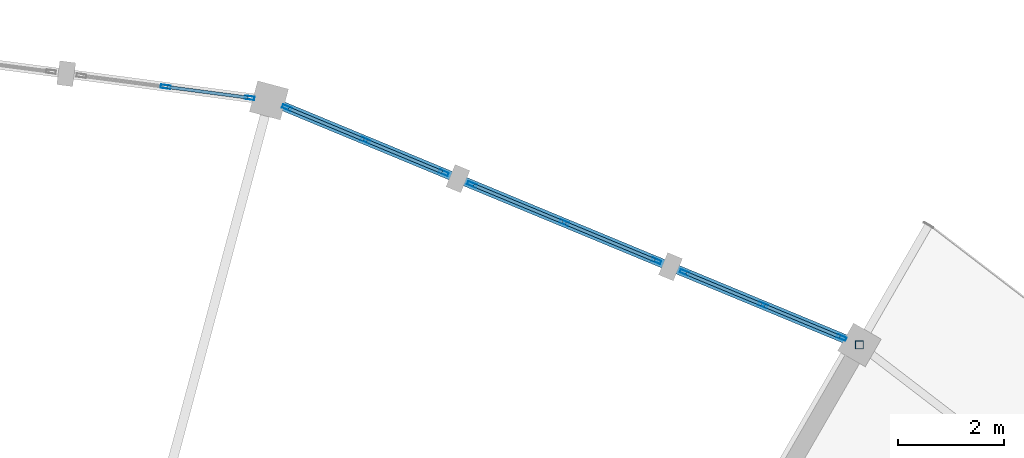
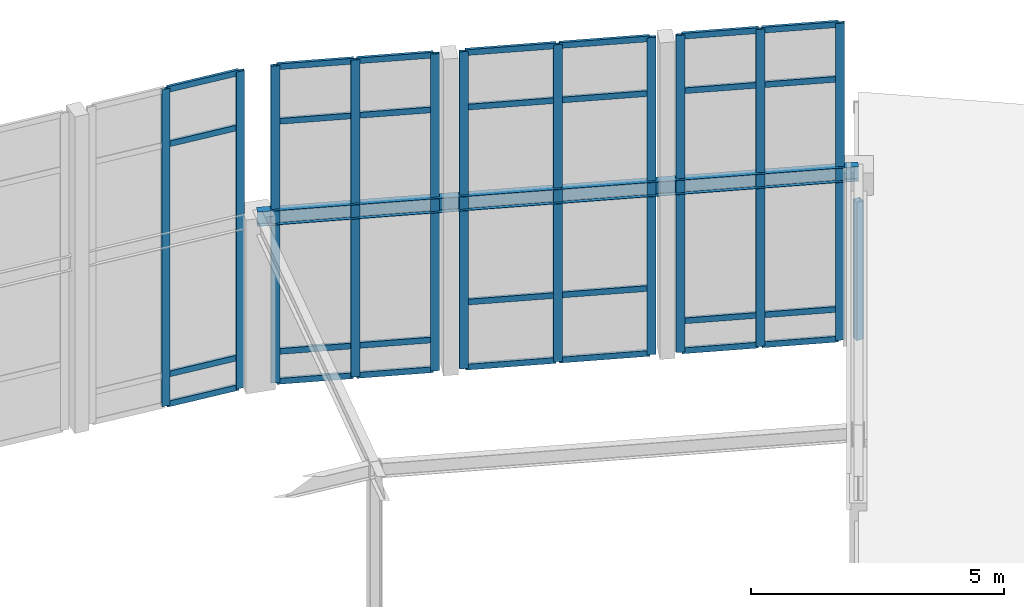
# One storey, part 55 of 93: 40 members, 1 beam, 4 elements without a shape of their own.
"""IFC4 building model written with IfcOpenShell, lengths in metres."""

from ifc_helpers import new_model, si_unit, direction, frame, origin, origin_2d, place, context, subcontext, project, spatial, hollow_rectangle, i_section, extrude, material, material_profile, profile_set, type_object, element, aggregate, save


model = new_model("IFC4")

# Units and contexts
model_context = context("Model", 3, precision=1e-05, world=origin(), true_north=direction((0.0, 1.0)))
body_context = subcontext(model_context, "Body", "Model", "MODEL_VIEW")
ifc_project = project(units=[si_unit("LENGTHUNIT", "METRE"), si_unit("AREAUNIT", "SQUARE_METRE"), si_unit("VOLUMEUNIT", "CUBIC_METRE"), si_unit("PLANEANGLEUNIT", "RADIAN"), si_unit("MASSUNIT", "GRAM", prefix="KILO")], contexts=[model_context])

# Site, building, storey
site_placement = place(None, origin())
site = spatial("IfcSite", under=ifc_project, at=site_placement, CompositionType="ELEMENT")
building_placement = place(site_placement, origin())
building = spatial("IfcBuilding", under=site, at=building_placement, Name="Vondelvale Polytechnic", CompositionType="ELEMENT")
storey_placement = place(building_placement, frame((0.0, 0.0, 18.0)))
storey = spatial("IfcBuildingStorey", under=building, at=storey_placement, Name="L04", CompositionType="ELEMENT", Elevation=18.0)

# Beam
ifc_material_1 = material(Name="Steel 300PLUS (fy = 300 MPa)", Category="steel")
ifc_material_profile_1 = material_profile(ifc_material_1, i_section(OverallWidth=0.1708984375, OverallDepth=0.35205078125, WebThickness=0.0068359375, FlangeThickness=0.009765625, FilletRadius=0.011474609375, at=origin_2d()), Name="360UB44.7")
ifc_profile_set_1 = profile_set([ifc_material_profile_1], Name="Steel 300PLUS (fy = 300 MPa)")
beam_type = type_object("IfcBeamType", Name="BM-UB360L", PredefinedType="BEAM", material=ifc_profile_set_1)
beam_placement = place(storey_placement, frame((125.0, 111.837158203125, 4.02392578125), z_axis=(-0.923877323614, 0.382688765072, 0.0), x_axis=(-0.382688765072, -0.923877323614, 0.0)))
element("IfcBeam", 1, at=beam_placement, inside=storey, type_object=beam_type, Name="L04 RE B-24", PredefinedType="BEAM", context=body_context, shape_type="SweptSolid", body=[
    extrude(i_section(OverallWidth=0.1708984375, OverallDepth=0.35205078125, WebThickness=0.0068359375, FlangeThickness=0.009765625, FilletRadius=0.011474609375, at=origin_2d()), origin(), (0.0, 0.0, 1.0), 12.00830078125),
])

# Curtain wall, members
ifc_material_2 = material(Name="Glulam GL18 structural Tasmanian oak (fb = 42 MPa)", Category="wood")
curtain_wall_type = type_object("IfcCurtainWallType", Name="CW-RING-OUTER", PredefinedType="NOTDEFINED", material=ifc_material_2)
curtain_wall_1_placement = place(storey_placement, origin())
curtain_wall_1 = element("IfcCurtainWall", 2, at=curtain_wall_1_placement, inside=storey, type_object=curtain_wall_type, Name="L04 architectural curtain wall CW-04-128", PredefinedType="NOTDEFINED")
ifc_material_3 = material(Name="Anodised extruded aluminium 6063-T6", Category="aluminium")
ifc_material_profile_2 = material_profile(ifc_material_3, hollow_rectangle(XDim=0.06494140625, YDim=0.179931640625, WallThickness=0.00390625, at=origin_2d()), Name="CW-MUL-180x65")
ifc_profile_set_2 = profile_set([ifc_material_profile_2], Name="Anodised extruded aluminium 6063-T6")
member_type_1 = type_object("IfcMemberType", Name="CW-MUL-65x180", PredefinedType="MULLION", material=ifc_profile_set_2)
member_1_placement = place(storey_placement, frame((124.66259765625, 111.97705078125, 0.0), z_axis=(0.0, 0.0, 1.0), x_axis=(-0.382677394529, -0.923882033442, 0.0)))
member_1 = element("IfcMember", 3, at=member_1_placement, type_object=member_type_1, Name="CW-04-128 mullion 1", PredefinedType="MULLION", context=body_context, shape_type="SweptSolid", body=[
    extrude(hollow_rectangle(XDim=0.06494140625, YDim=0.179931640625, WallThickness=0.00390625, at=origin_2d()), origin(), (0.0, 0.0, 1.0), 7.661376953125),
])
member_2_placement = place(storey_placement, frame((123.18896484375, 112.58740234375, 0.0), z_axis=(0.0, 0.0, 1.0), x_axis=(-0.382677394529, -0.923882033442, 0.0)))
member_2 = element("IfcMember", 4, at=member_2_placement, type_object=member_type_1, Name="CW-04-128 mullion 2", PredefinedType="MULLION", context=body_context, shape_type="SweptSolid", body=[
    extrude(hollow_rectangle(XDim=0.06494140625, YDim=0.179931640625, WallThickness=0.00390625, at=origin_2d()), origin(), (0.0, 0.0, 1.0), 7.661376953125),
])
member_3_placement = place(storey_placement, frame((121.71533203125, 113.19775390625, 0.0), z_axis=(0.0, 0.0, 1.0), x_axis=(-0.382677394529, -0.923882033442, 0.0)))
member_3 = element("IfcMember", 5, at=member_3_placement, type_object=member_type_1, Name="CW-04-128 mullion 3", PredefinedType="MULLION", context=body_context, shape_type="SweptSolid", body=[
    extrude(hollow_rectangle(XDim=0.06494140625, YDim=0.179931640625, WallThickness=0.00390625, at=origin_2d()), origin(), (0.0, 0.0, 1.0), 7.661376953125),
])

curtain_wall_2_placement = place(storey_placement, origin())
curtain_wall_2 = element("IfcCurtainWall", 6, at=curtain_wall_2_placement, inside=storey, type_object=curtain_wall_type, Name="L04 architectural curtain wall CW-04-129", PredefinedType="NOTDEFINED")
member_4_placement = place(storey_placement, frame((121.18408203125, 113.417724609375, 0.0), z_axis=(0.0, 0.0, 1.0), x_axis=(-0.382694599123, -0.92387490701, 0.0)))
member_4 = element("IfcMember", 7, at=member_4_placement, type_object=member_type_1, Name="CW-04-129 mullion 1", PredefinedType="MULLION", context=body_context, shape_type="SweptSolid", body=[
    extrude(hollow_rectangle(XDim=0.06494140625, YDim=0.179931640625, WallThickness=0.00390625, at=origin_2d()), origin(), (0.0, 0.0, 1.0), 7.661376953125),
])
member_5_placement = place(storey_placement, frame((119.452880859375, 114.135009765625, 0.0), z_axis=(0.0, 0.0, 1.0), x_axis=(-0.382694599123, -0.92387490701, 0.0)))
member_5 = element("IfcMember", 8, at=member_5_placement, type_object=member_type_1, Name="CW-04-129 mullion 2", PredefinedType="MULLION", context=body_context, shape_type="SweptSolid", body=[
    extrude(hollow_rectangle(XDim=0.06494140625, YDim=0.179931640625, WallThickness=0.00390625, at=origin_2d()), origin(), (0.0, 0.0, 1.0), 7.661376953125),
])
member_6_placement = place(storey_placement, frame((117.721435546875, 114.85205078125, 0.0), z_axis=(0.0, 0.0, 1.0), x_axis=(-0.382694599123, -0.92387490701, 0.0)))
member_6 = element("IfcMember", 9, at=member_6_placement, type_object=member_type_1, Name="CW-04-129 mullion 3", PredefinedType="MULLION", context=body_context, shape_type="SweptSolid", body=[
    extrude(hollow_rectangle(XDim=0.06494140625, YDim=0.179931640625, WallThickness=0.00390625, at=origin_2d()), origin(), (0.0, 0.0, 1.0), 7.661376953125),
])

curtain_wall_3_placement = place(storey_placement, origin())
curtain_wall_3 = element("IfcCurtainWall", 10, at=curtain_wall_3_placement, inside=storey, type_object=curtain_wall_type, Name="L04 architectural curtain wall CW-04-130", PredefinedType="NOTDEFINED")
member_7_placement = place(storey_placement, frame((117.190185546875, 115.072021484375, 0.0), z_axis=(0.0, 0.0, 1.0), x_axis=(-0.382677394529, -0.923882033442, 0.0)))
member_7 = element("IfcMember", 11, at=member_7_placement, type_object=member_type_1, Name="CW-04-130 mullion 1", PredefinedType="MULLION", context=body_context, shape_type="SweptSolid", body=[
    extrude(hollow_rectangle(XDim=0.06494140625, YDim=0.179931640625, WallThickness=0.00390625, at=origin_2d()), origin(), (0.0, 0.0, 1.0), 7.661376953125),
])
member_8_placement = place(storey_placement, frame((115.716796875, 115.6826171875, 0.0), z_axis=(0.0, 0.0, 1.0), x_axis=(-0.382677394529, -0.923882033442, 0.0)))
member_8 = element("IfcMember", 12, at=member_8_placement, type_object=member_type_1, Name="CW-04-130 mullion 2", PredefinedType="MULLION", context=body_context, shape_type="SweptSolid", body=[
    extrude(hollow_rectangle(XDim=0.06494140625, YDim=0.179931640625, WallThickness=0.00390625, at=origin_2d()), origin(), (0.0, 0.0, 1.0), 7.661376953125),
])
member_9_placement = place(storey_placement, frame((114.2431640625, 116.29296875, 0.0), z_axis=(0.0, 0.0, 1.0), x_axis=(-0.382677394529, -0.923882033442, 0.0)))
member_9 = element("IfcMember", 13, at=member_9_placement, type_object=member_type_1, Name="CW-04-130 mullion 3", PredefinedType="MULLION", context=body_context, shape_type="SweptSolid", body=[
    extrude(hollow_rectangle(XDim=0.06494140625, YDim=0.179931640625, WallThickness=0.00390625, at=origin_2d()), origin(), (0.0, 0.0, 1.0), 7.661376953125),
])

curtain_wall_4_placement = place(storey_placement, origin())
curtain_wall_4 = element("IfcCurtainWall", 14, at=curtain_wall_4_placement, inside=storey, type_object=curtain_wall_type, Name="L04 architectural curtain wall CW-04-148", PredefinedType="NOTDEFINED")
member_10_placement = place(storey_placement, frame((113.54345703125, 116.480224609375, 0.0), z_axis=(0.0, 0.0, 1.0), x_axis=(-0.130539547729, -0.991443102996, 0.0)))
member_10 = element("IfcMember", 15, at=member_10_placement, type_object=member_type_1, Name="CW-04-148 mullion 1", PredefinedType="MULLION", context=body_context, shape_type="SweptSolid", body=[
    extrude(hollow_rectangle(XDim=0.06494140625, YDim=0.179931640625, WallThickness=0.00390625, at=origin_2d()), origin(), (0.0, 0.0, 1.0), 7.661376953125),
])
member_11_placement = place(storey_placement, frame((111.962158203125, 116.6884765625, 0.0), z_axis=(0.0, 0.0, 1.0), x_axis=(-0.130539547729, -0.991443102996, 0.0)))
member_11 = element("IfcMember", 16, at=member_11_placement, type_object=member_type_1, Name="CW-04-148 mullion 2", PredefinedType="MULLION", context=body_context, shape_type="SweptSolid", body=[
    extrude(hollow_rectangle(XDim=0.06494140625, YDim=0.179931640625, WallThickness=0.00390625, at=origin_2d()), origin(), (0.0, 0.0, 1.0), 7.661376953125),
])

# Member
ifc_material_profile_3 = material_profile(ifc_material_3, hollow_rectangle(XDim=0.06005859375, YDim=0.139892578125, WallThickness=0.00341796875, at=origin_2d()), Name="CW-TRN-140x60")
ifc_profile_set_3 = profile_set([ifc_material_profile_3], Name="Anodised extruded aluminium 6063-T6")
member_type_2 = type_object("IfcMemberType", Name="CW-TRN-60x140", PredefinedType="USERDEFINED", material=ifc_profile_set_3)
member_12_placement = place(storey_placement, frame((124.632568359375, 111.9892578125, 0.030029296875), z_axis=(-0.923839843027, 0.382779237206, 0.0), x_axis=(-0.382779237206, -0.923839843027, 0.0)))
member_12 = element("IfcMember", 17, at=member_12_placement, type_object=member_type_2, Name="CW-04-128 transom 1.1", ObjectType="TRANSOM", PredefinedType="USERDEFINED", context=body_context, shape_type="SweptSolid", body=[
    extrude(hollow_rectangle(XDim=0.06005859375, YDim=0.139892578125, WallThickness=0.00341796875, at=origin_2d()), origin(), (0.0, 0.0, 1.0), 1.530029296875),
])

member_13_placement = place(storey_placement, frame((124.632568359375, 111.9892578125, 0.75), z_axis=(-0.923839843027, 0.382779237206, 0.0), x_axis=(-0.382779237206, -0.923839843027, 0.0)))
member_13 = element("IfcMember", 18, at=member_13_placement, type_object=member_type_2, Name="CW-04-128 transom 1.2", ObjectType="TRANSOM", PredefinedType="USERDEFINED", context=body_context, shape_type="SweptSolid", body=[
    extrude(hollow_rectangle(XDim=0.06005859375, YDim=0.139892578125, WallThickness=0.00341796875, at=origin_2d()), origin(), (0.0, 0.0, 1.0), 1.530029296875),
])

member_14_placement = place(storey_placement, frame((124.632568359375, 111.9892578125, 6.311279296875), z_axis=(-0.923839843027, 0.382779237206, 0.0), x_axis=(-0.382779237206, -0.923839843027, 0.0)))
member_14 = element("IfcMember", 19, at=member_14_placement, type_object=member_type_2, Name="CW-04-128 transom 1.3", ObjectType="TRANSOM", PredefinedType="USERDEFINED", context=body_context, shape_type="SweptSolid", body=[
    extrude(hollow_rectangle(XDim=0.06005859375, YDim=0.139892578125, WallThickness=0.00341796875, at=origin_2d()), origin(), (0.0, 0.0, 1.0), 1.530029296875),
])

member_15_placement = place(storey_placement, frame((124.632568359375, 111.9892578125, 7.63134765625), z_axis=(-0.923839843027, 0.382779237206, 0.0), x_axis=(-0.382779237206, -0.923839843027, 0.0)))
member_15 = element("IfcMember", 20, at=member_15_placement, type_object=member_type_2, Name="CW-04-128 transom 1.4", ObjectType="TRANSOM", PredefinedType="USERDEFINED", context=body_context, shape_type="SweptSolid", body=[
    extrude(hollow_rectangle(XDim=0.06005859375, YDim=0.139892578125, WallThickness=0.00341796875, at=origin_2d()), origin(), (0.0, 0.0, 1.0), 1.530029296875),
])

member_16_placement = place(storey_placement, frame((123.158935546875, 112.599853515625, 0.030029296875), z_axis=(-0.923896260346, 0.382643045304, 0.0), x_axis=(-0.382643045304, -0.923896260346, 0.0)))
member_16 = element("IfcMember", 21, at=member_16_placement, type_object=member_type_2, Name="CW-04-128 transom 2.1", ObjectType="TRANSOM", PredefinedType="USERDEFINED", context=body_context, shape_type="SweptSolid", body=[
    extrude(hollow_rectangle(XDim=0.06005859375, YDim=0.139892578125, WallThickness=0.00341796875, at=origin_2d()), origin(), (0.0, 0.0, 1.0), 1.530029296875),
])

member_17_placement = place(storey_placement, frame((123.158935546875, 112.599853515625, 0.75), z_axis=(-0.923896260346, 0.382643045304, 0.0), x_axis=(-0.382643045304, -0.923896260346, 0.0)))
member_17 = element("IfcMember", 22, at=member_17_placement, type_object=member_type_2, Name="CW-04-128 transom 2.2", ObjectType="TRANSOM", PredefinedType="USERDEFINED", context=body_context, shape_type="SweptSolid", body=[
    extrude(hollow_rectangle(XDim=0.06005859375, YDim=0.139892578125, WallThickness=0.00341796875, at=origin_2d()), origin(), (0.0, 0.0, 1.0), 1.530029296875),
])

member_18_placement = place(storey_placement, frame((123.158935546875, 112.599853515625, 6.311279296875), z_axis=(-0.923896260346, 0.382643045304, 0.0), x_axis=(-0.382643045304, -0.923896260346, 0.0)))
member_18 = element("IfcMember", 23, at=member_18_placement, type_object=member_type_2, Name="CW-04-128 transom 2.3", ObjectType="TRANSOM", PredefinedType="USERDEFINED", context=body_context, shape_type="SweptSolid", body=[
    extrude(hollow_rectangle(XDim=0.06005859375, YDim=0.139892578125, WallThickness=0.00341796875, at=origin_2d()), origin(), (0.0, 0.0, 1.0), 1.530029296875),
])

member_19_placement = place(storey_placement, frame((123.158935546875, 112.599853515625, 7.63134765625), z_axis=(-0.923896260346, 0.382643045304, 0.0), x_axis=(-0.382643045304, -0.923896260346, 0.0)))
member_19 = element("IfcMember", 24, at=member_19_placement, type_object=member_type_2, Name="CW-04-128 transom 2.4", ObjectType="TRANSOM", PredefinedType="USERDEFINED", context=body_context, shape_type="SweptSolid", body=[
    extrude(hollow_rectangle(XDim=0.06005859375, YDim=0.139892578125, WallThickness=0.00341796875, at=origin_2d()), origin(), (0.0, 0.0, 1.0), 1.530029296875),
])

aggregate(curtain_wall_1, [member_1, member_2, member_3, member_12, member_13, member_14, member_15, member_16, member_17, member_18, member_19])

member_20_placement = place(storey_placement, frame((121.154052734375, 113.43017578125, 0.030029296875), z_axis=(-0.92384573676, 0.382765012338, 0.0), x_axis=(-0.382765012338, -0.92384573676, 0.0)))
member_20 = element("IfcMember", 25, at=member_20_placement, type_object=member_type_2, Name="CW-04-129 transom 1.1", ObjectType="TRANSOM", PredefinedType="USERDEFINED", context=body_context, shape_type="SweptSolid", body=[
    extrude(hollow_rectangle(XDim=0.06005859375, YDim=0.139892578125, WallThickness=0.00341796875, at=origin_2d()), origin(), (0.0, 0.0, 1.0), 1.808837890625),
])

member_21_placement = place(storey_placement, frame((121.154052734375, 113.43017578125, 1.60009765625), z_axis=(-0.92384573676, 0.382765012338, 0.0), x_axis=(-0.382765012338, -0.92384573676, 0.0)))
member_21 = element("IfcMember", 26, at=member_21_placement, type_object=member_type_2, Name="CW-04-129 transom 1.2", ObjectType="TRANSOM", PredefinedType="USERDEFINED", context=body_context, shape_type="SweptSolid", body=[
    extrude(hollow_rectangle(XDim=0.06005859375, YDim=0.139892578125, WallThickness=0.00341796875, at=origin_2d()), origin(), (0.0, 0.0, 1.0), 1.808837890625),
])

member_22_placement = place(storey_placement, frame((121.154052734375, 113.43017578125, 6.311279296875), z_axis=(-0.92384573676, 0.382765012338, 0.0), x_axis=(-0.382765012338, -0.92384573676, 0.0)))
member_22 = element("IfcMember", 27, at=member_22_placement, type_object=member_type_2, Name="CW-04-129 transom 1.3", ObjectType="TRANSOM", PredefinedType="USERDEFINED", context=body_context, shape_type="SweptSolid", body=[
    extrude(hollow_rectangle(XDim=0.06005859375, YDim=0.139892578125, WallThickness=0.00341796875, at=origin_2d()), origin(), (0.0, 0.0, 1.0), 1.808837890625),
])

member_23_placement = place(storey_placement, frame((121.154052734375, 113.43017578125, 7.63134765625), z_axis=(-0.92384573676, 0.382765012338, 0.0), x_axis=(-0.382765012338, -0.92384573676, 0.0)))
member_23 = element("IfcMember", 28, at=member_23_placement, type_object=member_type_2, Name="CW-04-129 transom 1.4", ObjectType="TRANSOM", PredefinedType="USERDEFINED", context=body_context, shape_type="SweptSolid", body=[
    extrude(hollow_rectangle(XDim=0.06005859375, YDim=0.139892578125, WallThickness=0.00341796875, at=origin_2d()), origin(), (0.0, 0.0, 1.0), 1.808837890625),
])

member_24_placement = place(storey_placement, frame((119.4228515625, 114.147216796875, 0.030029296875), z_axis=(-0.923865506878, 0.382717291485, 0.0), x_axis=(-0.382717291485, -0.923865506878, 0.0)))
member_24 = element("IfcMember", 29, at=member_24_placement, type_object=member_type_2, Name="CW-04-129 transom 2.1", ObjectType="TRANSOM", PredefinedType="USERDEFINED", context=body_context, shape_type="SweptSolid", body=[
    extrude(hollow_rectangle(XDim=0.06005859375, YDim=0.139892578125, WallThickness=0.00341796875, at=origin_2d()), origin(), (0.0, 0.0, 1.0), 1.80908203125),
])

member_25_placement = place(storey_placement, frame((119.4228515625, 114.147216796875, 1.60009765625), z_axis=(-0.923865506878, 0.382717291485, 0.0), x_axis=(-0.382717291485, -0.923865506878, 0.0)))
member_25 = element("IfcMember", 30, at=member_25_placement, type_object=member_type_2, Name="CW-04-129 transom 2.2", ObjectType="TRANSOM", PredefinedType="USERDEFINED", context=body_context, shape_type="SweptSolid", body=[
    extrude(hollow_rectangle(XDim=0.06005859375, YDim=0.139892578125, WallThickness=0.00341796875, at=origin_2d()), origin(), (0.0, 0.0, 1.0), 1.80908203125),
])

member_26_placement = place(storey_placement, frame((119.4228515625, 114.147216796875, 6.311279296875), z_axis=(-0.923865506878, 0.382717291485, 0.0), x_axis=(-0.382717291485, -0.923865506878, 0.0)))
member_26 = element("IfcMember", 31, at=member_26_placement, type_object=member_type_2, Name="CW-04-129 transom 2.3", ObjectType="TRANSOM", PredefinedType="USERDEFINED", context=body_context, shape_type="SweptSolid", body=[
    extrude(hollow_rectangle(XDim=0.06005859375, YDim=0.139892578125, WallThickness=0.00341796875, at=origin_2d()), origin(), (0.0, 0.0, 1.0), 1.80908203125),
])

member_27_placement = place(storey_placement, frame((119.4228515625, 114.147216796875, 7.63134765625), z_axis=(-0.923865506878, 0.382717291485, 0.0), x_axis=(-0.382717291485, -0.923865506878, 0.0)))
member_27 = element("IfcMember", 32, at=member_27_placement, type_object=member_type_2, Name="CW-04-129 transom 2.4", ObjectType="TRANSOM", PredefinedType="USERDEFINED", context=body_context, shape_type="SweptSolid", body=[
    extrude(hollow_rectangle(XDim=0.06005859375, YDim=0.139892578125, WallThickness=0.00341796875, at=origin_2d()), origin(), (0.0, 0.0, 1.0), 1.80908203125),
])

aggregate(curtain_wall_2, [member_4, member_5, member_6, member_20, member_21, member_22, member_23, member_24, member_25, member_26, member_27])

member_28_placement = place(storey_placement, frame((117.16015625, 115.08447265625, 0.030029296875), z_axis=(-0.923816459452, 0.382835668721, 0.0), x_axis=(-0.382835668721, -0.923816459452, 0.0)))
member_28 = element("IfcMember", 33, at=member_28_placement, type_object=member_type_2, Name="CW-04-130 transom 1.1", ObjectType="TRANSOM", PredefinedType="USERDEFINED", context=body_context, shape_type="SweptSolid", body=[
    extrude(hollow_rectangle(XDim=0.06005859375, YDim=0.139892578125, WallThickness=0.00341796875, at=origin_2d()), origin(), (0.0, 0.0, 1.0), 1.52978515625),
])

member_29_placement = place(storey_placement, frame((117.16015625, 115.08447265625, 0.75), z_axis=(-0.923816459452, 0.382835668721, 0.0), x_axis=(-0.382835668721, -0.923816459452, 0.0)))
member_29 = element("IfcMember", 34, at=member_29_placement, type_object=member_type_2, Name="CW-04-130 transom 1.2", ObjectType="TRANSOM", PredefinedType="USERDEFINED", context=body_context, shape_type="SweptSolid", body=[
    extrude(hollow_rectangle(XDim=0.06005859375, YDim=0.139892578125, WallThickness=0.00341796875, at=origin_2d()), origin(), (0.0, 0.0, 1.0), 1.52978515625),
])

member_30_placement = place(storey_placement, frame((117.16015625, 115.08447265625, 6.311279296875), z_axis=(-0.923816459452, 0.382835668721, 0.0), x_axis=(-0.382835668721, -0.923816459452, 0.0)))
member_30 = element("IfcMember", 35, at=member_30_placement, type_object=member_type_2, Name="CW-04-130 transom 1.3", ObjectType="TRANSOM", PredefinedType="USERDEFINED", context=body_context, shape_type="SweptSolid", body=[
    extrude(hollow_rectangle(XDim=0.06005859375, YDim=0.139892578125, WallThickness=0.00341796875, at=origin_2d()), origin(), (0.0, 0.0, 1.0), 1.52978515625),
])

member_31_placement = place(storey_placement, frame((117.16015625, 115.08447265625, 7.63134765625), z_axis=(-0.923816459452, 0.382835668721, 0.0), x_axis=(-0.382835668721, -0.923816459452, 0.0)))
member_31 = element("IfcMember", 36, at=member_31_placement, type_object=member_type_2, Name="CW-04-130 transom 1.4", ObjectType="TRANSOM", PredefinedType="USERDEFINED", context=body_context, shape_type="SweptSolid", body=[
    extrude(hollow_rectangle(XDim=0.06005859375, YDim=0.139892578125, WallThickness=0.00341796875, at=origin_2d()), origin(), (0.0, 0.0, 1.0), 1.52978515625),
])

member_32_placement = place(storey_placement, frame((115.686767578125, 115.69482421875, 0.030029296875), z_axis=(-0.923839843027, 0.382779237206, 0.0), x_axis=(-0.382779237206, -0.923839843027, 0.0)))
member_32 = element("IfcMember", 37, at=member_32_placement, type_object=member_type_2, Name="CW-04-130 transom 2.1", ObjectType="TRANSOM", PredefinedType="USERDEFINED", context=body_context, shape_type="SweptSolid", body=[
    extrude(hollow_rectangle(XDim=0.06005859375, YDim=0.139892578125, WallThickness=0.00341796875, at=origin_2d()), origin(), (0.0, 0.0, 1.0), 1.530029296875),
])

member_33_placement = place(storey_placement, frame((115.686767578125, 115.69482421875, 0.75), z_axis=(-0.923839843027, 0.382779237206, 0.0), x_axis=(-0.382779237206, -0.923839843027, 0.0)))
member_33 = element("IfcMember", 38, at=member_33_placement, type_object=member_type_2, Name="CW-04-130 transom 2.2", ObjectType="TRANSOM", PredefinedType="USERDEFINED", context=body_context, shape_type="SweptSolid", body=[
    extrude(hollow_rectangle(XDim=0.06005859375, YDim=0.139892578125, WallThickness=0.00341796875, at=origin_2d()), origin(), (0.0, 0.0, 1.0), 1.530029296875),
])

member_34_placement = place(storey_placement, frame((115.686767578125, 115.69482421875, 6.311279296875), z_axis=(-0.923839843027, 0.382779237206, 0.0), x_axis=(-0.382779237206, -0.923839843027, 0.0)))
member_34 = element("IfcMember", 39, at=member_34_placement, type_object=member_type_2, Name="CW-04-130 transom 2.3", ObjectType="TRANSOM", PredefinedType="USERDEFINED", context=body_context, shape_type="SweptSolid", body=[
    extrude(hollow_rectangle(XDim=0.06005859375, YDim=0.139892578125, WallThickness=0.00341796875, at=origin_2d()), origin(), (0.0, 0.0, 1.0), 1.530029296875),
])

member_35_placement = place(storey_placement, frame((115.686767578125, 115.69482421875, 7.63134765625), z_axis=(-0.923839843027, 0.382779237206, 0.0), x_axis=(-0.382779237206, -0.923839843027, 0.0)))
member_35 = element("IfcMember", 40, at=member_35_placement, type_object=member_type_2, Name="CW-04-130 transom 2.4", ObjectType="TRANSOM", PredefinedType="USERDEFINED", context=body_context, shape_type="SweptSolid", body=[
    extrude(hollow_rectangle(XDim=0.06005859375, YDim=0.139892578125, WallThickness=0.00341796875, at=origin_2d()), origin(), (0.0, 0.0, 1.0), 1.530029296875),
])

aggregate(curtain_wall_3, [member_7, member_8, member_9, member_28, member_29, member_30, member_31, member_32, member_33, member_34, member_35])

member_36_placement = place(storey_placement, frame((113.511474609375, 116.484375, 0.030029296875), z_axis=(-0.99142603388, 0.13066912162, 0.0), x_axis=(-0.13066912162, -0.99142603388, 0.0)))
member_36 = element("IfcMember", 41, at=member_36_placement, type_object=member_type_2, Name="CW-04-148 transom 1.1", ObjectType="TRANSOM", PredefinedType="USERDEFINED", context=body_context, shape_type="SweptSolid", body=[
    extrude(hollow_rectangle(XDim=0.06005859375, YDim=0.139892578125, WallThickness=0.00341796875, at=origin_2d()), origin(), (0.0, 0.0, 1.0), 1.5302734375),
])

member_37_placement = place(storey_placement, frame((113.511474609375, 116.484375, 0.75), z_axis=(-0.99142603388, 0.13066912162, 0.0), x_axis=(-0.13066912162, -0.99142603388, 0.0)))
member_37 = element("IfcMember", 42, at=member_37_placement, type_object=member_type_2, Name="CW-04-148 transom 1.2", ObjectType="TRANSOM", PredefinedType="USERDEFINED", context=body_context, shape_type="SweptSolid", body=[
    extrude(hollow_rectangle(XDim=0.06005859375, YDim=0.139892578125, WallThickness=0.00341796875, at=origin_2d()), origin(), (0.0, 0.0, 1.0), 1.5302734375),
])

member_38_placement = place(storey_placement, frame((113.511474609375, 116.484375, 6.311279296875), z_axis=(-0.99142603388, 0.13066912162, 0.0), x_axis=(-0.13066912162, -0.99142603388, 0.0)))
member_38 = element("IfcMember", 43, at=member_38_placement, type_object=member_type_2, Name="CW-04-148 transom 1.3", ObjectType="TRANSOM", PredefinedType="USERDEFINED", context=body_context, shape_type="SweptSolid", body=[
    extrude(hollow_rectangle(XDim=0.06005859375, YDim=0.139892578125, WallThickness=0.00341796875, at=origin_2d()), origin(), (0.0, 0.0, 1.0), 1.5302734375),
])

member_39_placement = place(storey_placement, frame((113.511474609375, 116.484375, 7.63134765625), z_axis=(-0.99142603388, 0.13066912162, 0.0), x_axis=(-0.13066912162, -0.99142603388, 0.0)))
member_39 = element("IfcMember", 44, at=member_39_placement, type_object=member_type_2, Name="CW-04-148 transom 1.4", ObjectType="TRANSOM", PredefinedType="USERDEFINED", context=body_context, shape_type="SweptSolid", body=[
    extrude(hollow_rectangle(XDim=0.06005859375, YDim=0.139892578125, WallThickness=0.00341796875, at=origin_2d()), origin(), (0.0, 0.0, 1.0), 1.5302734375),
])

aggregate(curtain_wall_4, [member_10, member_11, member_36, member_37, member_38, member_39])

ifc_material_4 = material(Name="Steel C350L0 (fy = 350 MPa)", Category="steel")
ifc_material_profile_4 = material_profile(ifc_material_4, hollow_rectangle(XDim=0.14990234375, YDim=0.14990234375, WallThickness=0.006103515625, at=origin_2d()), Name="150x150x6.0SHS")
ifc_profile_set_4 = profile_set([ifc_material_profile_4], Name="Steel C350L0 (fy = 350 MPa)")
member_type_3 = type_object("IfcMemberType", Name="ROOF TRUSS POST 150SHS", PredefinedType="POST", material=ifc_profile_set_4)
member_40_placement = place(storey_placement, frame((125.0, 111.837158203125, 0.0), z_axis=(0.0, 0.0, 1.0), x_axis=(1.0, 0.0, 0.0)))
element("IfcMember", 45, at=member_40_placement, inside=storey, type_object=member_type_3, Name="Ring step outer roof post 03", PredefinedType="POST", context=body_context, shape_type="SweptSolid", body=[
    extrude(hollow_rectangle(XDim=0.14990234375, YDim=0.14990234375, WallThickness=0.006103515625, at=origin_2d()), origin(), (0.0, 0.0, 1.0), 3.33984375),
])

save(model, "model.ifc")
